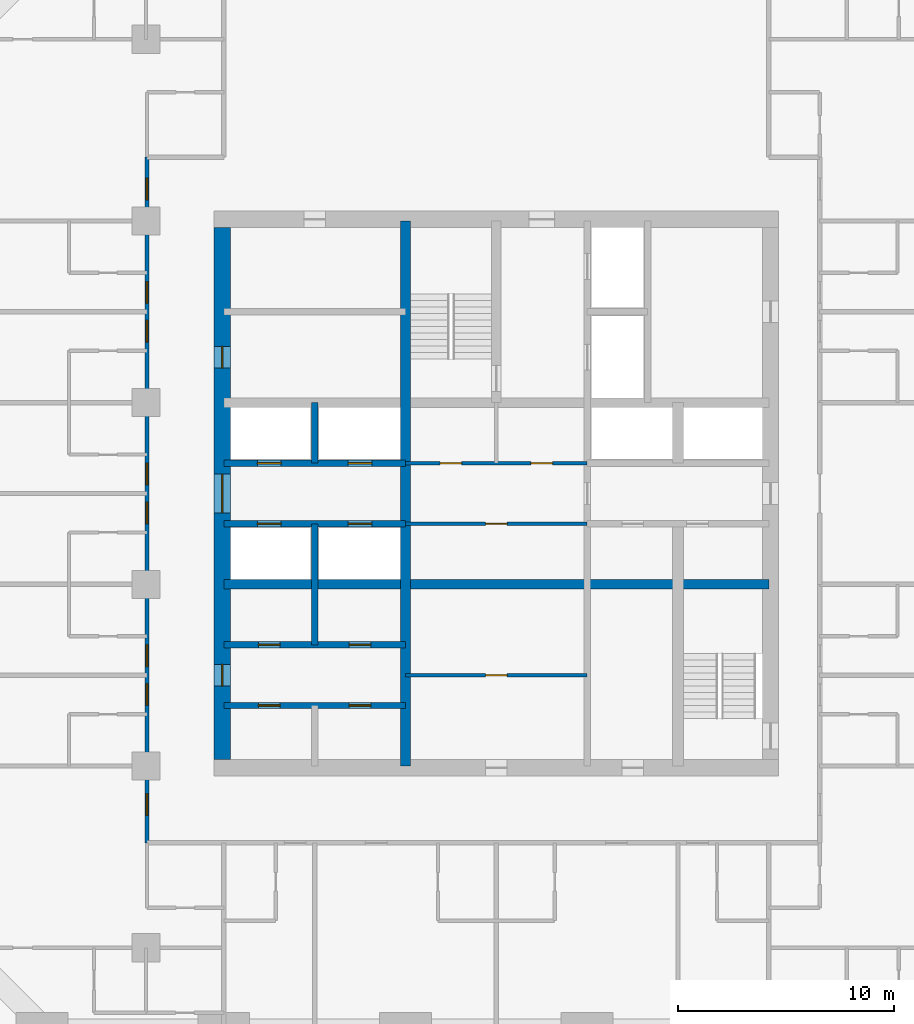
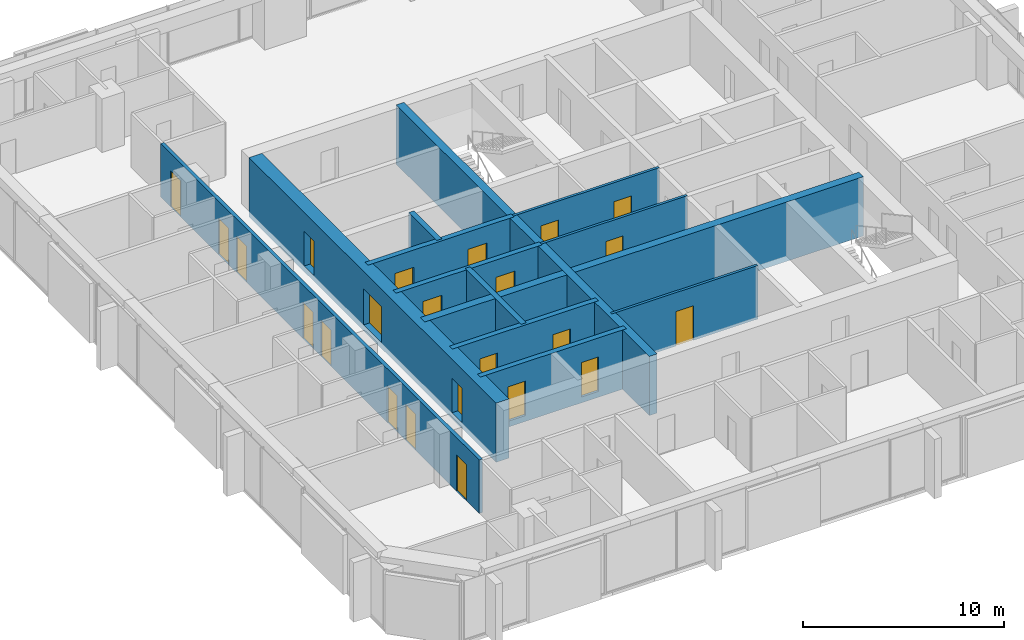
# One storey, part 9 of 13: 23 doors, 13 walls, 23 openings.
"""IFC4 building model written with IfcOpenShell, lengths in metres."""

from ifc_helpers import new_model, si_unit, direction, frame, frame_2d, origin, place, context, subcontext, project, spatial, rectangle, extrude, material, layer, layer_set, type_object, element, fill, save


model = new_model("IFC4")

# Units and contexts
model_context = context("Model", 3, precision=1e-05, world=origin(), true_north=direction((0.0, 1.0)))
body_context = subcontext(model_context, "Body", "Model", "MODEL_VIEW")
ifc_project = project(units=[si_unit("LENGTHUNIT", "METRE"), si_unit("AREAUNIT", "SQUARE_METRE"), si_unit("VOLUMEUNIT", "CUBIC_METRE"), si_unit("PLANEANGLEUNIT", "RADIAN"), si_unit("MASSUNIT", "GRAM", prefix="KILO")], contexts=[model_context])

# Site, building, storey
site_placement = place(None, origin())
site = spatial("IfcSite", under=ifc_project, at=site_placement, CompositionType="ELEMENT")
building_placement = place(site_placement, origin())
building = spatial("IfcBuilding", under=site, at=building_placement, Name="Dunama Terrace Hotel", CompositionType="ELEMENT")
storey_placement = place(building_placement, frame((0.0, 0.0, 173.39990234375)))
storey = spatial("IfcBuildingStorey", under=building, at=storey_placement, Name="L44", CompositionType="ELEMENT", Elevation=173.39990234375)

# Walls
ifc_material_1 = material(Name="Concrete C50/60", Category="concrete")
ifc_layer_1 = layer(ifc_material_1, 0.300048828125)
ifc_layer_set_1 = layer_set([ifc_layer_1], Name="Core inner wall 300")
wall_type_1 = type_object("IfcWallType", Name="Core inner wall 300", PredefinedType="SHEAR", material=ifc_layer_set_1)
wall_1_placement = place(storey_placement, frame((21.0, 22.39990234375, -0.349853515625), z_axis=(0.0, 0.0, 1.0), x_axis=(0.0, 1.0, 0.0)))
element("IfcWall", 1, at=wall_1_placement, inside=storey, type_object=wall_type_1, Name="Core inner wall 300 L44", PredefinedType="SHEAR", context=body_context, shape_type="SweptSolid", body=[
    extrude(rectangle(XDim=5.60009765625, YDim=0.300048828125, at=frame_2d((2.800048828125, 0.0))), origin(), (0.0, 0.0, 1.0), 3.599853515625),
])
wall_2_placement = place(storey_placement, frame((21.0, 30.800048828125, -0.349853515625), z_axis=(0.0, 0.0, 1.0), x_axis=(0.0, 1.0, 0.0)))
element("IfcWall", 2, at=wall_2_placement, inside=storey, type_object=wall_type_1, Name="Core inner wall 300 L44", PredefinedType="SHEAR", context=body_context, shape_type="SweptSolid", body=[
    extrude(rectangle(XDim=2.800048828125, YDim=0.300048828125, at=frame_2d((1.39990234375, 0.0))), origin(), (0.0, 0.0, 1.0), 3.599853515625),
])

# Wall, openings, doors
wall_3_placement = place(storey_placement, frame((16.800048828125, 19.60009765625, -0.349853515625), z_axis=(0.0, 0.0, 1.0), x_axis=(1.0, 0.0, 0.0)))
wall_3 = element("IfcWall", 3, at=wall_3_placement, inside=storey, type_object=wall_type_1, Name="Core inner wall 300 L44", PredefinedType="SHEAR", context=body_context, shape_type="SweptSolid", body=[
    extrude(rectangle(XDim=8.39990234375, YDim=0.300048828125, at=frame_2d((4.199951171875, 0.0))), origin(), (0.0, 0.0, 1.0), 3.599853515625),
])
opening_1_placement = place(wall_3_placement, frame((1.60009765625, 0.0, 0.35009765625)))
opening_1 = element("IfcOpeningElement", 4, at=opening_1_placement, cuts=wall_3, Name="Opening L42-44-059", PredefinedType="OPENING", context=body_context, shape_type="SweptSolid", body=[
    extrude(rectangle(XDim=1.0, YDim=2.10009765625, at=frame_2d((0.5, 1.050048828125))), frame((0.0, 0.159912109375, 0.0), z_axis=(0.0, -1.0, 0.0), x_axis=(1.0, 0.0, 0.0)), (0.0, 0.0, 1.0), 0.320068359375),
])
opening_2_placement = place(wall_3_placement, frame((5.800048828125, 0.0, 0.35009765625)))
opening_2 = element("IfcOpeningElement", 5, at=opening_2_placement, cuts=wall_3, Name="Opening L42-44-060", PredefinedType="OPENING", context=body_context, shape_type="SweptSolid", body=[
    extrude(rectangle(XDim=1.0, YDim=2.10009765625, at=frame_2d((0.5, 1.050048828125))), frame((0.0, 0.159912109375, 0.0), z_axis=(0.0, -1.0, 0.0), x_axis=(1.0, 0.0, 0.0)), (0.0, 0.0, 1.0), 0.320068359375),
])
ifc_material_2 = material(Name="Timber door with steel frame", Category="steel")
door_type_1 = type_object("IfcDoorType", Name="Service door 1000", OperationType="SINGLE_SWING_LEFT", PredefinedType="DOOR", material=ifc_material_2)
door_1_placement = place(opening_1_placement, frame((1.0, 0.0, 0.0), z_axis=(0.0, 0.0, 1.0), x_axis=(-1.0, 0.0, 0.0)))
door_1 = element("IfcDoor", 6, at=door_1_placement, inside=storey, type_object=door_type_1, Name="Door to service riser L42-44-059, type D7", OperationType="SINGLE_SWING_RIGHT", OverallHeight=2.10009765625, OverallWidth=1.0, PredefinedType="DOOR", context=body_context, shape_type="SweptSolid", body=[
    extrude(rectangle(XDim=1.0, YDim=2.10009765625, at=frame_2d((0.5, 1.050048828125))), frame((0.0, 0.025146484375, 0.0), z_axis=(0.0, -1.0, 0.0), x_axis=(1.0, 0.0, 0.0)), (0.0, 0.0, 1.0), 0.050048828125),
])
fill(opening_1, door_1)
door_2_placement = place(opening_2_placement, frame((1.0, 0.0, 0.0), z_axis=(0.0, 0.0, 1.0), x_axis=(-1.0, 0.0, 0.0)))
door_2 = element("IfcDoor", 7, at=door_2_placement, inside=storey, type_object=door_type_1, Name="Door to it room L42-44-060, type D7", OperationType="SINGLE_SWING_LEFT", OverallHeight=2.10009765625, OverallWidth=1.0, PredefinedType="DOOR", context=body_context, shape_type="SweptSolid", body=[
    extrude(rectangle(XDim=1.0, YDim=2.10009765625, at=frame_2d((0.5, 1.050048828125))), frame((0.0, 0.025146484375, 0.0), z_axis=(0.0, -1.0, 0.0), x_axis=(1.0, 0.0, 0.0)), (0.0, 0.0, 1.0), 0.050048828125),
])
fill(opening_2, door_2)

wall_4_placement = place(storey_placement, frame((16.800048828125, 22.39990234375, -0.349853515625), z_axis=(0.0, 0.0, 1.0), x_axis=(1.0, 0.0, 0.0)))
wall_4 = element("IfcWall", 8, at=wall_4_placement, inside=storey, type_object=wall_type_1, Name="Core inner wall 300 L44", PredefinedType="SHEAR", context=body_context, shape_type="SweptSolid", body=[
    extrude(rectangle(XDim=8.39990234375, YDim=0.300048828125, at=frame_2d((4.199951171875, 0.0))), origin(), (0.0, 0.0, 1.0), 3.599853515625),
])
opening_3_placement = place(wall_4_placement, frame((1.60009765625, 0.0, 0.35009765625)))
opening_3 = element("IfcOpeningElement", 9, at=opening_3_placement, cuts=wall_4, Name="Opening L42-44-061", PredefinedType="OPENING", context=body_context, shape_type="SweptSolid", body=[
    extrude(rectangle(XDim=1.0, YDim=2.10009765625, at=frame_2d((0.5, 1.050048828125))), frame((0.0, 0.159912109375, 0.0), z_axis=(0.0, -1.0, 0.0), x_axis=(1.0, 0.0, 0.0)), (0.0, 0.0, 1.0), 0.320068359375),
])
opening_4_placement = place(wall_4_placement, frame((5.800048828125, 0.0, 0.35009765625)))
opening_4 = element("IfcOpeningElement", 10, at=opening_4_placement, cuts=wall_4, Name="Opening L42-44-062", PredefinedType="OPENING", context=body_context, shape_type="SweptSolid", body=[
    extrude(rectangle(XDim=1.0, YDim=2.10009765625, at=frame_2d((0.5, 1.050048828125))), frame((0.0, 0.159912109375, 0.0), z_axis=(0.0, -1.0, 0.0), x_axis=(1.0, 0.0, 0.0)), (0.0, 0.0, 1.0), 0.320068359375),
])
door_3_placement = place(opening_3_placement, origin())
door_3 = element("IfcDoor", 11, at=door_3_placement, inside=storey, type_object=door_type_1, Name="Door to cleaners store L42-44-061, type D7", OperationType="SINGLE_SWING_LEFT", OverallHeight=2.10009765625, OverallWidth=1.0, PredefinedType="DOOR", context=body_context, shape_type="SweptSolid", body=[
    extrude(rectangle(XDim=1.0, YDim=2.10009765625, at=frame_2d((0.5, 1.050048828125))), frame((0.0, 0.02490234375, 0.0), z_axis=(0.0, -1.0, 0.0), x_axis=(1.0, 0.0, 0.0)), (0.0, 0.0, 1.0), 0.050048828125),
])
fill(opening_3, door_3)
door_4_placement = place(opening_4_placement, origin())
door_4 = element("IfcDoor", 12, at=door_4_placement, inside=storey, type_object=door_type_1, Name="Door to staff accessible wc L42-44-062, type D7", OperationType="SINGLE_SWING_RIGHT", OverallHeight=2.10009765625, OverallWidth=1.0, PredefinedType="DOOR", context=body_context, shape_type="SweptSolid", body=[
    extrude(rectangle(XDim=1.0, YDim=2.10009765625, at=frame_2d((0.5, 1.050048828125))), frame((0.0, 0.02490234375, 0.0), z_axis=(0.0, -1.0, 0.0), x_axis=(1.0, 0.0, 0.0)), (0.0, 0.0, 1.0), 0.050048828125),
])
fill(opening_4, door_4)

wall_5_placement = place(storey_placement, frame((16.800048828125, 28.0, -0.349853515625), z_axis=(0.0, 0.0, 1.0), x_axis=(1.0, 0.0, 0.0)))
wall_5 = element("IfcWall", 13, at=wall_5_placement, inside=storey, type_object=wall_type_1, Name="Core inner wall 300 L44", PredefinedType="SHEAR", context=body_context, shape_type="SweptSolid", body=[
    extrude(rectangle(XDim=8.39990234375, YDim=0.300048828125, at=frame_2d((4.199951171875, 0.0))), origin(), (0.0, 0.0, 1.0), 3.599853515625),
])
opening_5_placement = place(wall_5_placement, frame((1.550048828125, 0.0, 0.35009765625)))
opening_5 = element("IfcOpeningElement", 14, at=opening_5_placement, cuts=wall_5, Name="Opening L42-44-003", PredefinedType="OPENING", context=body_context, shape_type="SweptSolid", body=[
    extrude(rectangle(XDim=1.10009765625, YDim=2.199951171875, at=frame_2d((0.550048828125, 1.10009765625))), frame((0.0, 0.159912109375, 0.0), z_axis=(0.0, -1.0, 0.0), x_axis=(1.0, 0.0, 0.0)), (0.0, 0.0, 1.0), 0.320068359375),
])
opening_6_placement = place(wall_5_placement, frame((5.75, 0.0, 0.35009765625)))
opening_6 = element("IfcOpeningElement", 15, at=opening_6_placement, cuts=wall_5, Name="Opening L42-44-004", PredefinedType="OPENING", context=body_context, shape_type="SweptSolid", body=[
    extrude(rectangle(XDim=1.10009765625, YDim=2.199951171875, at=frame_2d((0.550048828125, 1.10009765625))), frame((0.0, 0.159912109375, 0.0), z_axis=(0.0, -1.0, 0.0), x_axis=(1.0, 0.0, 0.0)), (0.0, 0.0, 1.0), 0.320068359375),
])
ifc_material_3 = material(Name="Stainless steel lift door", Category="steel")
door_type_2 = type_object("IfcDoorType", Name="Lift landing door 1100", OperationType="DOUBLE_DOOR_SLIDING", PredefinedType="DOOR", material=ifc_material_3)
door_5_placement = place(opening_5_placement, origin())
door_5 = element("IfcDoor", 16, at=door_5_placement, inside=storey, type_object=door_type_2, Name="Landing door PC1 L42-44-003, type LD1", OperationType="DOUBLE_DOOR_SLIDING", OverallHeight=2.199951171875, OverallWidth=1.10009765625, PredefinedType="DOOR", context=body_context, shape_type="SweptSolid", body=[
    extrude(rectangle(XDim=1.10009765625, YDim=2.199951171875, at=frame_2d((0.550048828125, 1.10009765625))), frame((0.0, 0.02490234375, 0.0), z_axis=(0.0, -1.0, 0.0), x_axis=(1.0, 0.0, 0.0)), (0.0, 0.0, 1.0), 0.050048828125),
])
fill(opening_5, door_5)
door_6_placement = place(opening_6_placement, origin())
door_6 = element("IfcDoor", 17, at=door_6_placement, inside=storey, type_object=door_type_2, Name="Landing door PC2 L42-44-004, type LD1", OperationType="DOUBLE_DOOR_SLIDING", OverallHeight=2.199951171875, OverallWidth=1.10009765625, PredefinedType="DOOR", context=body_context, shape_type="SweptSolid", body=[
    extrude(rectangle(XDim=1.10009765625, YDim=2.199951171875, at=frame_2d((0.550048828125, 1.10009765625))), frame((0.0, 0.02490234375, 0.0), z_axis=(0.0, -1.0, 0.0), x_axis=(1.0, 0.0, 0.0)), (0.0, 0.0, 1.0), 0.050048828125),
])
fill(opening_6, door_6)

wall_6_placement = place(storey_placement, frame((16.800048828125, 30.800048828125, -0.349853515625), z_axis=(0.0, 0.0, 1.0), x_axis=(1.0, 0.0, 0.0)))
wall_6 = element("IfcWall", 18, at=wall_6_placement, inside=storey, type_object=wall_type_1, Name="Core inner wall 300 L44", PredefinedType="SHEAR", context=body_context, shape_type="SweptSolid", body=[
    extrude(rectangle(XDim=8.39990234375, YDim=0.300048828125, at=frame_2d((4.199951171875, 0.0))), origin(), (0.0, 0.0, 1.0), 3.599853515625),
])
opening_7_placement = place(wall_6_placement, frame((1.550048828125, 0.0, 0.35009765625)))
opening_7 = element("IfcOpeningElement", 19, at=opening_7_placement, cuts=wall_6, Name="Opening L42-44-005", PredefinedType="OPENING", context=body_context, shape_type="SweptSolid", body=[
    extrude(rectangle(XDim=1.10009765625, YDim=2.199951171875, at=frame_2d((0.550048828125, 1.10009765625))), frame((0.0, 0.159912109375, 0.0), z_axis=(0.0, -1.0, 0.0), x_axis=(1.0, 0.0, 0.0)), (0.0, 0.0, 1.0), 0.320068359375),
])
opening_8_placement = place(wall_6_placement, frame((5.75, 0.0, 0.35009765625)))
opening_8 = element("IfcOpeningElement", 20, at=opening_8_placement, cuts=wall_6, Name="Opening L42-44-006", PredefinedType="OPENING", context=body_context, shape_type="SweptSolid", body=[
    extrude(rectangle(XDim=1.10009765625, YDim=2.199951171875, at=frame_2d((0.550048828125, 1.10009765625))), frame((0.0, 0.159912109375, 0.0), z_axis=(0.0, -1.0, 0.0), x_axis=(1.0, 0.0, 0.0)), (0.0, 0.0, 1.0), 0.320068359375),
])
door_7_placement = place(opening_7_placement, origin())
door_7 = element("IfcDoor", 21, at=door_7_placement, inside=storey, type_object=door_type_2, Name="Landing door PC3 L42-44-005, type LD1", OperationType="DOUBLE_DOOR_SLIDING", OverallHeight=2.199951171875, OverallWidth=1.10009765625, PredefinedType="DOOR", context=body_context, shape_type="SweptSolid", body=[
    extrude(rectangle(XDim=1.10009765625, YDim=2.199951171875, at=frame_2d((0.550048828125, 1.10009765625))), frame((0.0, 0.02490234375, 0.0), z_axis=(0.0, -1.0, 0.0), x_axis=(1.0, 0.0, 0.0)), (0.0, 0.0, 1.0), 0.050048828125),
])
fill(opening_7, door_7)
door_8_placement = place(opening_8_placement, origin())
door_8 = element("IfcDoor", 22, at=door_8_placement, inside=storey, type_object=door_type_2, Name="Landing door PC4 L42-44-006, type LD1", OperationType="DOUBLE_DOOR_SLIDING", OverallHeight=2.199951171875, OverallWidth=1.10009765625, PredefinedType="DOOR", context=body_context, shape_type="SweptSolid", body=[
    extrude(rectangle(XDim=1.10009765625, YDim=2.199951171875, at=frame_2d((0.550048828125, 1.10009765625))), frame((0.0, 0.02490234375, 0.0), z_axis=(0.0, -1.0, 0.0), x_axis=(1.0, 0.0, 0.0)), (0.0, 0.0, 1.0), 0.050048828125),
])
fill(opening_8, door_8)

# Walls
ifc_material_4 = material(Name="Concrete C50/60", Category="concrete")
ifc_layer_2 = layer(ifc_material_4, 0.449951171875)
ifc_layer_set_2 = layer_set([ifc_layer_2], Name="Core inner wall 450")
wall_type_2 = type_object("IfcWallType", Name="Core inner wall 450", PredefinedType="SHEAR", material=ifc_layer_set_2)
for number, where, z_axis, x_axis, name in (
    (23, (25.199951171875, 16.800048828125, -0.349853515625), (0.0, 0.0, 1.0), (0.0, 1.0, 0.0), "Core inner wall 450 L44"),
    (24, (16.800048828125, 25.199951171875, -0.349853515625), (0.0, 0.0, 1.0), (1.0, 0.0, 0.0), "Core inner wall 450 L44"),
):
    element("IfcWall", number, at=place(storey_placement, frame(where, z_axis=z_axis, x_axis=x_axis)), inside=storey, type_object=wall_type_2, Name=name, PredefinedType="SHEAR", context=body_context, shape_type="SweptSolid", body=[
        extrude(rectangle(XDim=25.199951171875, YDim=0.449951171875, at=frame_2d((12.60009765625, 0.0))), origin(), (0.0, 0.0, 1.0), 3.599853515625),
    ])

# Wall, openings, doors
ifc_material_5 = material(Name="Concrete C60/75", Category="concrete")
ifc_layer_3 = layer(ifc_material_5, 0.75)
ifc_layer_set_3 = layer_set([ifc_layer_3], Name="Core wall 750")
wall_type_3 = type_object("IfcWallType", Name="Core wall 750", PredefinedType="SHEAR", material=ifc_layer_set_3)
wall_7_placement = place(storey_placement, frame((16.72509765625, 41.699951171875, -0.349853515625), z_axis=(0.0, 0.0, 1.0), x_axis=(0.0, -1.0, 0.0)))
wall_7 = element("IfcWall", 25, at=wall_7_placement, inside=storey, type_object=wall_type_3, Name="Core wall west L44", PredefinedType="SHEAR", context=body_context, shape_type="SweptSolid", body=[
    extrude(rectangle(XDim=24.599853515625, YDim=0.75, at=frame_2d((12.2998046875, 0.0))), origin(), (0.0, 0.0, 1.0), 3.599853515625),
])
opening_9_placement = place(wall_7_placement, frame((11.39990234375, 0.0, 0.35009765625)))
opening_9 = element("IfcOpeningElement", 26, at=opening_9_placement, cuts=wall_7, Name="Opening L42-44-058", PredefinedType="OPENING", context=body_context, shape_type="SweptSolid", body=[
    extrude(rectangle(XDim=1.800048828125, YDim=2.199951171875, at=frame_2d((0.89990234375, 1.10009765625))), frame((0.0, 0.385009765625, 0.0), z_axis=(0.0, -1.0, 0.0), x_axis=(1.0, 0.0, 0.0)), (0.0, 0.0, 1.0), 0.77001953125),
])
opening_10_placement = place(wall_7_placement, frame((20.199951171875, 0.0, 0.35009765625)))
opening_10 = element("IfcOpeningElement", 27, at=opening_10_placement, cuts=wall_7, Name="Opening L42-44-063", PredefinedType="OPENING", context=body_context, shape_type="SweptSolid", body=[
    extrude(rectangle(XDim=1.0, YDim=2.10009765625, at=frame_2d((0.5, 1.050048828125))), frame((0.0, 0.385009765625, 0.0), z_axis=(0.0, -1.0, 0.0), x_axis=(1.0, 0.0, 0.0)), (0.0, 0.0, 1.0), 0.77001953125),
])
opening_11_placement = place(wall_7_placement, frame((5.5, 0.0, 0.35009765625)))
opening_11 = element("IfcOpeningElement", 28, at=opening_11_placement, cuts=wall_7, Name="Opening L42-44-064", PredefinedType="OPENING", context=body_context, shape_type="SweptSolid", body=[
    extrude(rectangle(XDim=1.0, YDim=2.10009765625, at=frame_2d((0.5, 1.050048828125))), frame((0.0, 0.385009765625, 0.0), z_axis=(0.0, -1.0, 0.0), x_axis=(1.0, 0.0, 0.0)), (0.0, 0.0, 1.0), 0.77001953125),
])
ifc_material_6 = material(Name="Timber door with steel frame", Category="steel")
door_type_3 = type_object("IfcDoorType", Name="Lift lobby double door 1800", OperationType="DOUBLE_DOOR_DOUBLE_SWING", PredefinedType="DOOR", material=ifc_material_6)
door_9_placement = place(opening_9_placement, origin())
door_9 = element("IfcDoor", 29, at=door_9_placement, inside=storey, type_object=door_type_3, Name="Door to lift lobby L42-44-058, type D3", OperationType="DOUBLE_DOOR_DOUBLE_SWING", OverallHeight=2.199951171875, OverallWidth=1.800048828125, PredefinedType="DOOR", context=body_context, shape_type="SweptSolid", body=[
    extrude(rectangle(XDim=1.800048828125, YDim=2.199951171875, at=frame_2d((0.89990234375, 1.10009765625))), frame((0.0, 0.02490234375, 0.0), z_axis=(0.0, -1.0, 0.0), x_axis=(1.0, 0.0, 0.0)), (0.0, 0.0, 1.0), 0.050048828125),
])
fill(opening_9, door_9)
door_10_placement = place(opening_10_placement, origin())
door_10 = element("IfcDoor", 30, at=door_10_placement, inside=storey, type_object=door_type_1, Name="Door to back-of-house lobby L42-44-063, type D7", OperationType="SINGLE_SWING_LEFT", OverallHeight=2.10009765625, OverallWidth=1.0, PredefinedType="DOOR", context=body_context, shape_type="SweptSolid", body=[
    extrude(rectangle(XDim=1.0, YDim=2.10009765625, at=frame_2d((0.5, 1.050048828125))), frame((0.0, 0.02490234375, 0.0), z_axis=(0.0, -1.0, 0.0), x_axis=(1.0, 0.0, 0.0)), (0.0, 0.0, 1.0), 0.050048828125),
])
fill(opening_10, door_10)
door_11_placement = place(opening_11_placement, origin())
door_11 = element("IfcDoor", 31, at=door_11_placement, inside=storey, type_object=door_type_1, Name="Door to electrical room L42-44-064, type D7", OperationType="SINGLE_SWING_RIGHT", OverallHeight=2.10009765625, OverallWidth=1.0, PredefinedType="DOOR", context=body_context, shape_type="SweptSolid", body=[
    extrude(rectangle(XDim=1.0, YDim=2.10009765625, at=frame_2d((0.5, 1.050048828125))), frame((0.0, 0.02490234375, 0.0), z_axis=(0.0, -1.0, 0.0), x_axis=(1.0, 0.0, 0.0)), (0.0, 0.0, 1.0), 0.050048828125),
])
fill(opening_11, door_11)

ifc_material_7 = material(Name="Concrete blockwork", Category="masonry")
ifc_layer_4 = layer(ifc_material_7, 0.199951171875)
ifc_layer_set_4 = layer_set([ifc_layer_4], Name="Corridor partition 200")
wall_type_4 = type_object("IfcWallType", Name="Corridor partition 200", PredefinedType="PARTITIONING", material=ifc_layer_set_4)
wall_8_placement = place(storey_placement, frame((13.25, 13.25, 0.0), z_axis=(0.0, 0.0, 1.0), x_axis=(0.0, 1.0, 0.0)))
wall_8 = element("IfcWall", 32, at=wall_8_placement, inside=storey, type_object=wall_type_4, Name="Corridor partition 200 L44", PredefinedType="PARTITIONING", context=body_context, shape_type="SweptSolid", body=[
    extrude(rectangle(XDim=31.699951171875, YDim=0.199951171875, at=frame_2d((15.85009765625, 0.0))), origin(), (0.0, 0.0, 1.0), 3.25),
])
opening_12_placement = place(wall_8_placement, frame((6.35009765625, 0.0, 0.0)))
opening_12 = element("IfcOpeningElement", 33, at=opening_12_placement, cuts=wall_8, Name="Opening L42-44-026", PredefinedType="OPENING", context=body_context, shape_type="SweptSolid", body=[
    extrude(rectangle(XDim=1.0, YDim=2.199951171875, at=frame_2d((0.5, 1.10009765625))), frame((0.0, 0.10986328125, 0.0), z_axis=(0.0, -1.0, 0.0), x_axis=(1.0, 0.0, 0.0)), (0.0, 0.0, 1.0), 0.219970703125),
])
opening_13_placement = place(wall_8_placement, frame((8.14990234375, 0.0, 0.0)))
opening_13 = element("IfcOpeningElement", 34, at=opening_13_placement, cuts=wall_8, Name="Opening L42-44-028", PredefinedType="OPENING", context=body_context, shape_type="SweptSolid", body=[
    extrude(rectangle(XDim=1.0, YDim=2.199951171875, at=frame_2d((0.5, 1.10009765625))), frame((0.0, 0.10986328125, 0.0), z_axis=(0.0, -1.0, 0.0), x_axis=(1.0, 0.0, 0.0)), (0.0, 0.0, 1.0), 0.219970703125),
])
opening_14_placement = place(wall_8_placement, frame((14.75, 0.0, 0.0)))
opening_14 = element("IfcOpeningElement", 35, at=opening_14_placement, cuts=wall_8, Name="Opening L42-44-030", PredefinedType="OPENING", context=body_context, shape_type="SweptSolid", body=[
    extrude(rectangle(XDim=1.0, YDim=2.199951171875, at=frame_2d((0.5, 1.10009765625))), frame((0.0, 0.10986328125, 0.0), z_axis=(0.0, -1.0, 0.0), x_axis=(1.0, 0.0, 0.0)), (0.0, 0.0, 1.0), 0.219970703125),
])
opening_15_placement = place(wall_8_placement, frame((16.550048828125, 0.0, 0.0)))
opening_15 = element("IfcOpeningElement", 36, at=opening_15_placement, cuts=wall_8, Name="Opening L42-44-032", PredefinedType="OPENING", context=body_context, shape_type="SweptSolid", body=[
    extrude(rectangle(XDim=1.0, YDim=2.199951171875, at=frame_2d((0.5, 1.10009765625))), frame((0.0, 0.10986328125, 0.0), z_axis=(0.0, -1.0, 0.0), x_axis=(1.0, 0.0, 0.0)), (0.0, 0.0, 1.0), 0.219970703125),
])
opening_16_placement = place(wall_8_placement, frame((23.14990234375, 0.0, 0.0)))
opening_16 = element("IfcOpeningElement", 37, at=opening_16_placement, cuts=wall_8, Name="Opening L42-44-034", PredefinedType="OPENING", context=body_context, shape_type="SweptSolid", body=[
    extrude(rectangle(XDim=1.0, YDim=2.199951171875, at=frame_2d((0.5, 1.10009765625))), frame((0.0, 0.10986328125, 0.0), z_axis=(0.0, -1.0, 0.0), x_axis=(1.0, 0.0, 0.0)), (0.0, 0.0, 1.0), 0.219970703125),
])
opening_17_placement = place(wall_8_placement, frame((24.949951171875, 0.0, 0.0)))
opening_17 = element("IfcOpeningElement", 38, at=opening_17_placement, cuts=wall_8, Name="Opening L42-44-036", PredefinedType="OPENING", context=body_context, shape_type="SweptSolid", body=[
    extrude(rectangle(XDim=1.0, YDim=2.199951171875, at=frame_2d((0.5, 1.10009765625))), frame((0.0, 0.10986328125, 0.0), z_axis=(0.0, -1.0, 0.0), x_axis=(1.0, 0.0, 0.0)), (0.0, 0.0, 1.0), 0.219970703125),
])
opening_18_placement = place(wall_8_placement, frame((1.27490234375, 0.0, 0.0)))
opening_18 = element("IfcOpeningElement", 39, at=opening_18_placement, cuts=wall_8, Name="Opening L42-44-038", PredefinedType="OPENING", context=body_context, shape_type="SweptSolid", body=[
    extrude(rectangle(XDim=1.0, YDim=2.199951171875, at=frame_2d((0.5, 1.10009765625))), frame((0.0, 0.10986328125, 0.0), z_axis=(0.0, -1.0, 0.0), x_axis=(1.0, 0.0, 0.0)), (0.0, 0.0, 1.0), 0.219970703125),
])
opening_19_placement = place(wall_8_placement, frame((29.72509765625, 0.0, 0.0)))
opening_19 = element("IfcOpeningElement", 40, at=opening_19_placement, cuts=wall_8, Name="Opening L42-44-053", PredefinedType="OPENING", context=body_context, shape_type="SweptSolid", body=[
    extrude(rectangle(XDim=1.0, YDim=2.199951171875, at=frame_2d((0.5, 1.10009765625))), frame((0.0, 0.10986328125, 0.0), z_axis=(0.0, -1.0, 0.0), x_axis=(1.0, 0.0, 0.0)), (0.0, 0.0, 1.0), 0.219970703125),
])
ifc_material_8 = material(Name="Timber door with steel frame", Category="steel")
door_type_4 = type_object("IfcDoorType", Name="Guest room door 1000", OperationType="SINGLE_SWING_LEFT", PredefinedType="DOOR", material=ifc_material_8)
door_12_placement = place(opening_12_placement, origin())
door_12 = element("IfcDoor", 41, at=door_12_placement, inside=storey, type_object=door_type_4, Name="Door to club room L42-44-026, type D1", OperationType="SINGLE_SWING_RIGHT", OverallHeight=2.199951171875, OverallWidth=1.0, PredefinedType="DOOR", context=body_context, shape_type="SweptSolid", body=[
    extrude(rectangle(XDim=1.0, YDim=2.199951171875, at=frame_2d((0.5, 1.10009765625))), frame((0.0, 0.02490234375, 0.0), z_axis=(0.0, -1.0, 0.0), x_axis=(1.0, 0.0, 0.0)), (0.0, 0.0, 1.0), 0.050048828125),
])
fill(opening_12, door_12)
door_13_placement = place(opening_13_placement, origin())
door_13 = element("IfcDoor", 42, at=door_13_placement, inside=storey, type_object=door_type_4, Name="Door to club room L42-44-028, type D1", OperationType="SINGLE_SWING_LEFT", OverallHeight=2.199951171875, OverallWidth=1.0, PredefinedType="DOOR", context=body_context, shape_type="SweptSolid", body=[
    extrude(rectangle(XDim=1.0, YDim=2.199951171875, at=frame_2d((0.5, 1.10009765625))), frame((0.0, 0.02490234375, 0.0), z_axis=(0.0, -1.0, 0.0), x_axis=(1.0, 0.0, 0.0)), (0.0, 0.0, 1.0), 0.050048828125),
])
fill(opening_13, door_13)
door_14_placement = place(opening_14_placement, origin())
door_14 = element("IfcDoor", 43, at=door_14_placement, inside=storey, type_object=door_type_4, Name="Door to club room L42-44-030, type D1", OperationType="SINGLE_SWING_RIGHT", OverallHeight=2.199951171875, OverallWidth=1.0, PredefinedType="DOOR", context=body_context, shape_type="SweptSolid", body=[
    extrude(rectangle(XDim=1.0, YDim=2.199951171875, at=frame_2d((0.5, 1.10009765625))), frame((0.0, 0.02490234375, 0.0), z_axis=(0.0, -1.0, 0.0), x_axis=(1.0, 0.0, 0.0)), (0.0, 0.0, 1.0), 0.050048828125),
])
fill(opening_14, door_14)
door_15_placement = place(opening_15_placement, origin())
door_15 = element("IfcDoor", 44, at=door_15_placement, inside=storey, type_object=door_type_4, Name="Door to club room L42-44-032, type D1", OperationType="SINGLE_SWING_LEFT", OverallHeight=2.199951171875, OverallWidth=1.0, PredefinedType="DOOR", context=body_context, shape_type="SweptSolid", body=[
    extrude(rectangle(XDim=1.0, YDim=2.199951171875, at=frame_2d((0.5, 1.10009765625))), frame((0.0, 0.02490234375, 0.0), z_axis=(0.0, -1.0, 0.0), x_axis=(1.0, 0.0, 0.0)), (0.0, 0.0, 1.0), 0.050048828125),
])
fill(opening_15, door_15)
door_16_placement = place(opening_16_placement, origin())
door_16 = element("IfcDoor", 45, at=door_16_placement, inside=storey, type_object=door_type_4, Name="Door to club room L42-44-034, type D1", OperationType="SINGLE_SWING_RIGHT", OverallHeight=2.199951171875, OverallWidth=1.0, PredefinedType="DOOR", context=body_context, shape_type="SweptSolid", body=[
    extrude(rectangle(XDim=1.0, YDim=2.199951171875, at=frame_2d((0.5, 1.10009765625))), frame((0.0, 0.02490234375, 0.0), z_axis=(0.0, -1.0, 0.0), x_axis=(1.0, 0.0, 0.0)), (0.0, 0.0, 1.0), 0.050048828125),
])
fill(opening_16, door_16)
door_17_placement = place(opening_17_placement, origin())
door_17 = element("IfcDoor", 46, at=door_17_placement, inside=storey, type_object=door_type_4, Name="Door to club room L42-44-036, type D1", OperationType="SINGLE_SWING_LEFT", OverallHeight=2.199951171875, OverallWidth=1.0, PredefinedType="DOOR", context=body_context, shape_type="SweptSolid", body=[
    extrude(rectangle(XDim=1.0, YDim=2.199951171875, at=frame_2d((0.5, 1.10009765625))), frame((0.0, 0.02490234375, 0.0), z_axis=(0.0, -1.0, 0.0), x_axis=(1.0, 0.0, 0.0)), (0.0, 0.0, 1.0), 0.050048828125),
])
fill(opening_17, door_17)
door_18_placement = place(opening_18_placement, origin())
door_18 = element("IfcDoor", 47, at=door_18_placement, inside=storey, type_object=door_type_4, Name="Door to corner suite living room L42-44-038, type D1", OperationType="SINGLE_SWING_RIGHT", OverallHeight=2.199951171875, OverallWidth=1.0, PredefinedType="DOOR", context=body_context, shape_type="SweptSolid", body=[
    extrude(rectangle(XDim=1.0, YDim=2.199951171875, at=frame_2d((0.5, 1.10009765625))), frame((0.0, 0.02490234375, 0.0), z_axis=(0.0, -1.0, 0.0), x_axis=(1.0, 0.0, 0.0)), (0.0, 0.0, 1.0), 0.050048828125),
])
fill(opening_18, door_18)
door_19_placement = place(opening_19_placement, origin())
door_19 = element("IfcDoor", 48, at=door_19_placement, inside=storey, type_object=door_type_4, Name="Door to corner suite living room L42-44-053, type D1", OperationType="SINGLE_SWING_LEFT", OverallHeight=2.199951171875, OverallWidth=1.0, PredefinedType="DOOR", context=body_context, shape_type="SweptSolid", body=[
    extrude(rectangle(XDim=1.0, YDim=2.199951171875, at=frame_2d((0.5, 1.10009765625))), frame((0.0, 0.02490234375, 0.0), z_axis=(0.0, -1.0, 0.0), x_axis=(1.0, 0.0, 0.0)), (0.0, 0.0, 1.0), 0.050048828125),
])
fill(opening_19, door_19)

# Wall, opening, door
ifc_material_9 = material(Name="Gypsum board partition", Category="masonry")
ifc_layer_5 = layer(ifc_material_9, 0.14990234375)
ifc_layer_set_5 = layer_set([ifc_layer_5], Name="Room partition 150")
wall_type_5 = type_object("IfcWallType", Name="Room partition 150", PredefinedType="PARTITIONING", material=ifc_layer_set_5)
wall_9_placement = place(storey_placement, frame((25.199951171875, 21.0, 0.0), z_axis=(0.0, 0.0, 1.0), x_axis=(1.0, 0.0, 0.0)))
wall_9 = element("IfcWall", 49, at=wall_9_placement, inside=storey, type_object=wall_type_5, Name="Room partition 150 L44", PredefinedType="PARTITIONING", context=body_context, shape_type="SweptSolid", body=[
    extrude(rectangle(XDim=8.400146484375, YDim=0.14990234375, at=frame_2d((4.2001953125, 0.0))), origin(), (0.0, 0.0, 1.0), 3.25),
])
opening_20_placement = place(wall_9_placement, frame((3.699951171875, 0.0, 0.0)))
opening_20 = element("IfcOpeningElement", 50, at=opening_20_placement, cuts=wall_9, Name="Opening L42-44-076", PredefinedType="OPENING", context=body_context, shape_type="SweptSolid", body=[
    extrude(rectangle(XDim=1.0, YDim=2.10009765625, at=frame_2d((0.5, 1.050048828125))), frame((0.0, 0.0849609375, 0.0), z_axis=(0.0, -1.0, 0.0), x_axis=(1.0, 0.0, 0.0)), (0.0, 0.0, 1.0), 0.169921875),
])
door_20_placement = place(opening_20_placement, origin())
door_20 = element("IfcDoor", 51, at=door_20_placement, inside=storey, type_object=door_type_1, Name="Door to stair pressurisation fan room L42-44-076, type D7", OperationType="SINGLE_SWING_LEFT", OverallHeight=2.10009765625, OverallWidth=1.0, PredefinedType="DOOR", context=body_context, shape_type="SweptSolid", body=[
    extrude(rectangle(XDim=1.0, YDim=2.10009765625, at=frame_2d((0.5, 1.050048828125))), frame((0.0, 0.02490234375, 0.0), z_axis=(0.0, -1.0, 0.0), x_axis=(1.0, 0.0, 0.0)), (0.0, 0.0, 1.0), 0.050048828125),
])
fill(opening_20, door_20)

wall_10_placement = place(storey_placement, frame((25.199951171875, 28.0, 0.0), z_axis=(0.0, 0.0, 1.0), x_axis=(1.0, 0.0, 0.0)))
wall_10 = element("IfcWall", 52, at=wall_10_placement, inside=storey, type_object=wall_type_5, Name="Room partition 150 L44", PredefinedType="PARTITIONING", context=body_context, shape_type="SweptSolid", body=[
    extrude(rectangle(XDim=8.400146484375, YDim=0.14990234375, at=frame_2d((4.2001953125, 0.0))), origin(), (0.0, 0.0, 1.0), 3.25),
])
opening_21_placement = place(wall_10_placement, frame((3.699951171875, 0.0, 0.0)))
opening_21 = element("IfcOpeningElement", 53, at=opening_21_placement, cuts=wall_10, Name="Opening L42-44-067", PredefinedType="OPENING", context=body_context, shape_type="SweptSolid", body=[
    extrude(rectangle(XDim=1.0, YDim=2.10009765625, at=frame_2d((0.5, 1.050048828125))), frame((0.0, 0.0849609375, 0.0), z_axis=(0.0, -1.0, 0.0), x_axis=(1.0, 0.0, 0.0)), (0.0, 0.0, 1.0), 0.169921875),
])
door_21_placement = place(opening_21_placement, frame((1.0, 0.0, 0.0), z_axis=(0.0, 0.0, 1.0), x_axis=(-1.0, 0.0, 0.0)))
door_21 = element("IfcDoor", 54, at=door_21_placement, inside=storey, type_object=door_type_1, Name="Door to linen and housekeeping room L42-44-067, type D7", OperationType="SINGLE_SWING_RIGHT", OverallHeight=2.10009765625, OverallWidth=1.0, PredefinedType="DOOR", context=body_context, shape_type="SweptSolid", body=[
    extrude(rectangle(XDim=1.0, YDim=2.10009765625, at=frame_2d((0.5, 1.050048828125))), frame((0.0, 0.025146484375, 0.0), z_axis=(0.0, -1.0, 0.0), x_axis=(1.0, 0.0, 0.0)), (0.0, 0.0, 1.0), 0.050048828125),
])
fill(opening_21, door_21)

# Wall, openings, doors
wall_11_placement = place(storey_placement, frame((25.199951171875, 30.800048828125, 0.0), z_axis=(0.0, 0.0, 1.0), x_axis=(1.0, 0.0, 0.0)))
wall_11 = element("IfcWall", 55, at=wall_11_placement, inside=storey, type_object=wall_type_5, Name="Room partition 150 L44", PredefinedType="PARTITIONING", context=body_context, shape_type="SweptSolid", body=[
    extrude(rectangle(XDim=8.400146484375, YDim=0.14990234375, at=frame_2d((4.2001953125, 0.0))), origin(), (0.0, 0.0, 1.0), 3.25),
])
opening_22_placement = place(wall_11_placement, frame((5.800048828125, 0.0, 0.0)))
opening_22 = element("IfcOpeningElement", 56, at=opening_22_placement, cuts=wall_11, Name="Opening L42-44-068", PredefinedType="OPENING", context=body_context, shape_type="SweptSolid", body=[
    extrude(rectangle(XDim=1.0, YDim=2.10009765625, at=frame_2d((0.5, 1.050048828125))), frame((0.0, 0.0849609375, 0.0), z_axis=(0.0, -1.0, 0.0), x_axis=(1.0, 0.0, 0.0)), (0.0, 0.0, 1.0), 0.169921875),
])
opening_23_placement = place(wall_11_placement, frame((1.60009765625, 0.0, 0.0)))
opening_23 = element("IfcOpeningElement", 57, at=opening_23_placement, cuts=wall_11, Name="Opening L42-44-069", PredefinedType="OPENING", context=body_context, shape_type="SweptSolid", body=[
    extrude(rectangle(XDim=1.0, YDim=2.10009765625, at=frame_2d((0.5, 1.050048828125))), frame((0.0, 0.0849609375, 0.0), z_axis=(0.0, -1.0, 0.0), x_axis=(1.0, 0.0, 0.0)), (0.0, 0.0, 1.0), 0.169921875),
])
door_22_placement = place(opening_22_placement, origin())
door_22 = element("IfcDoor", 58, at=door_22_placement, inside=storey, type_object=door_type_1, Name="Door to staff locker room L42-44-068, type D7", OperationType="SINGLE_SWING_RIGHT", OverallHeight=2.10009765625, OverallWidth=1.0, PredefinedType="DOOR", context=body_context, shape_type="SweptSolid", body=[
    extrude(rectangle(XDim=1.0, YDim=2.10009765625, at=frame_2d((0.5, 1.050048828125))), frame((0.0, 0.02490234375, 0.0), z_axis=(0.0, -1.0, 0.0), x_axis=(1.0, 0.0, 0.0)), (0.0, 0.0, 1.0), 0.050048828125),
])
fill(opening_22, door_22)
door_23_placement = place(opening_23_placement, origin())
door_23 = element("IfcDoor", 59, at=door_23_placement, inside=storey, type_object=door_type_1, Name="Door to staff break room L42-44-069, type D7", OperationType="SINGLE_SWING_LEFT", OverallHeight=2.10009765625, OverallWidth=1.0, PredefinedType="DOOR", context=body_context, shape_type="SweptSolid", body=[
    extrude(rectangle(XDim=1.0, YDim=2.10009765625, at=frame_2d((0.5, 1.050048828125))), frame((0.0, 0.02490234375, 0.0), z_axis=(0.0, -1.0, 0.0), x_axis=(1.0, 0.0, 0.0)), (0.0, 0.0, 1.0), 0.050048828125),
])
fill(opening_23, door_23)

save(model, "model.ifc")
